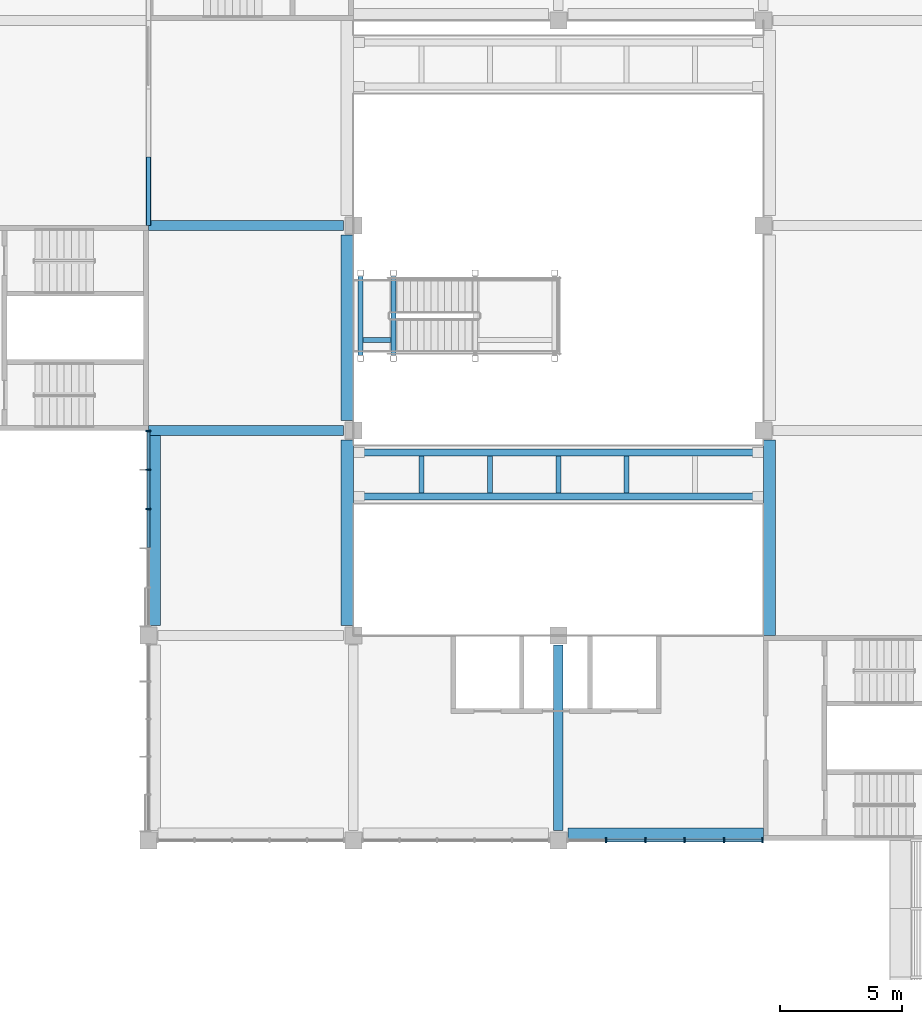
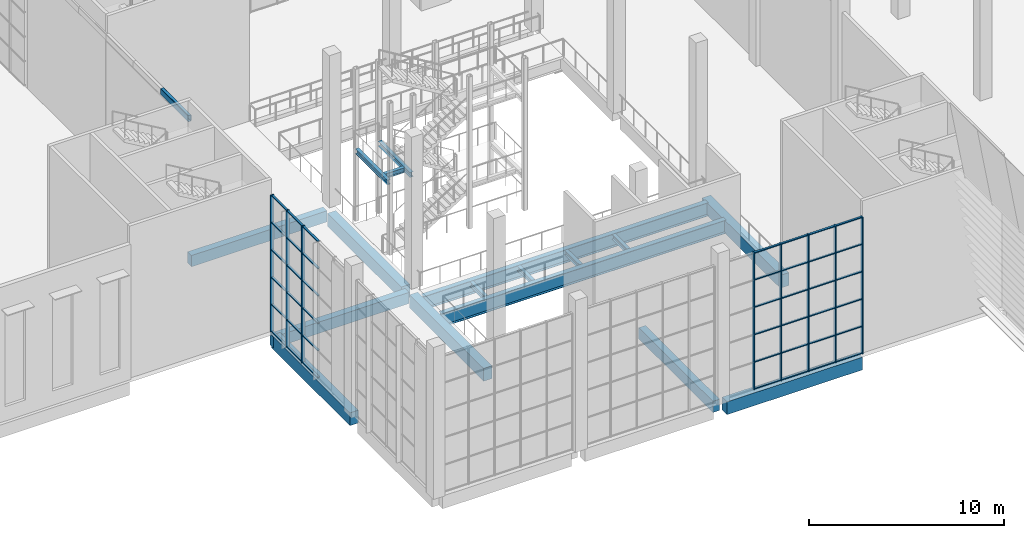
# One storey, part 21 of 114: 51 members, 17 beams, 2 elements without a shape of their own.
"""IFC4 building model written with IfcOpenShell, lengths in metres."""

from ifc_helpers import new_model, si_unit, direction, frame, origin, origin_2d, place, context, subcontext, project, spatial, rectangle, hollow_rectangle, i_section, extrude, material, material_profile, profile_set, type_object, element, aggregate, save


model = new_model("IFC4")

# Units and contexts
model_context = context("Model", 3, precision=1e-05, world=origin(), true_north=direction((0.0, 1.0)))
body_context = subcontext(model_context, "Body", "Model", "MODEL_VIEW")
ifc_project = project(units=[si_unit("LENGTHUNIT", "METRE"), si_unit("AREAUNIT", "SQUARE_METRE"), si_unit("VOLUMEUNIT", "CUBIC_METRE"), si_unit("PLANEANGLEUNIT", "RADIAN"), si_unit("MASSUNIT", "GRAM", prefix="KILO")], contexts=[model_context])

# Site, building, storey
site_placement = place(None, origin())
site = spatial("IfcSite", under=ifc_project, at=site_placement, CompositionType="ELEMENT")
building_placement = place(site_placement, origin())
building = spatial("IfcBuilding", under=site, at=building_placement, Name="Almond Square Museum", CompositionType="ELEMENT")
storey_placement = place(building_placement, frame((0.0, 0.0, 10.5)))
storey = spatial("IfcBuildingStorey", under=building, at=storey_placement, Name="L02", CompositionType="ELEMENT", Elevation=10.5)

# Curtain wall, members
ifc_material_1 = material(Name="Aluminium and laminated glass", Category="aluminium")
curtain_wall_type = type_object("IfcCurtainWallType", Name="Unitised curtain wall 1500 module", PredefinedType="NOTDEFINED", material=ifc_material_1)
curtain_wall_1_placement = place(storey_placement, origin())
curtain_wall_1 = element("IfcCurtainWall", 1, at=curtain_wall_1_placement, inside=storey, type_object=curtain_wall_type, Name="Curtain wall CW-26", PredefinedType="NOTDEFINED")
ifc_material_2 = material(Name="Anodised aluminium", Category="aluminium")
ifc_material_profile_1 = material_profile(ifc_material_2, rectangle(XDim=0.199951171875, YDim=0.06005859375, at=origin_2d()))
ifc_profile_set_1 = profile_set([ifc_material_profile_1], Name="Anodised aluminium")
member_type_1 = type_object("IfcMemberType", Name="Aluminium mullion 60 x 200", PredefinedType="MULLION", material=ifc_profile_set_1)
member_1_placement = place(storey_placement, frame((73.199951171875, 80.780029296875, 0.0), z_axis=(0.0, 0.0, 1.0), x_axis=(-1.0, 0.0, 0.0)))
member_1 = element("IfcMember", 2, at=member_1_placement, type_object=member_type_1, Name="CW-26 mullion 4", PredefinedType="MULLION", context=body_context, shape_type="SweptSolid", body=[
    extrude(rectangle(XDim=0.199951171875, YDim=0.06005859375, at=origin_2d()), origin(), (0.0, 0.0, 1.0), 8.550048828125),
])
member_2_placement = place(storey_placement, frame((73.199951171875, 82.389892578125, 0.0), z_axis=(0.0, 0.0, 1.0), x_axis=(-1.0, 0.0, 0.0)))
member_2 = element("IfcMember", 3, at=member_2_placement, type_object=member_type_1, Name="CW-26 mullion 5", PredefinedType="MULLION", context=body_context, shape_type="SweptSolid", body=[
    extrude(rectangle(XDim=0.199951171875, YDim=0.06005859375, at=origin_2d()), origin(), (0.0, 0.0, 1.0), 8.550048828125),
])
member_3_placement = place(storey_placement, frame((73.199951171875, 83.969970703125, 0.0), z_axis=(0.0, 0.0, 1.0), x_axis=(-1.0, 0.0, 0.0)))
member_3 = element("IfcMember", 4, at=member_3_placement, type_object=member_type_1, Name="CW-26 mullion 6", PredefinedType="MULLION", context=body_context, shape_type="SweptSolid", body=[
    extrude(rectangle(XDim=0.199951171875, YDim=0.06005859375, at=origin_2d()), origin(), (0.0, 0.0, 1.0), 8.550048828125),
])

curtain_wall_2_placement = place(storey_placement, origin())
curtain_wall_2 = element("IfcCurtainWall", 5, at=curtain_wall_2_placement, inside=storey, type_object=curtain_wall_type, Name="Curtain wall CW-30", PredefinedType="NOTDEFINED")
member_4_placement = place(storey_placement, frame((91.9599609375, 67.199951171875, 0.0), z_axis=(0.0, 0.0, 1.0), x_axis=(0.0, 1.0, 0.0)))
member_4 = element("IfcMember", 6, at=member_4_placement, type_object=member_type_1, Name="CW-30 mullion 2", PredefinedType="MULLION", context=body_context, shape_type="SweptSolid", body=[
    extrude(rectangle(XDim=0.199951171875, YDim=0.06005859375, at=origin_2d()), origin(), (0.0, 0.0, 1.0), 8.550048828125),
])
member_5_placement = place(storey_placement, frame((93.570068359375, 67.199951171875, 0.0), z_axis=(0.0, 0.0, 1.0), x_axis=(0.0, 1.0, 0.0)))
member_5 = element("IfcMember", 7, at=member_5_placement, type_object=member_type_1, Name="CW-30 mullion 3", PredefinedType="MULLION", context=body_context, shape_type="SweptSolid", body=[
    extrude(rectangle(XDim=0.199951171875, YDim=0.06005859375, at=origin_2d()), origin(), (0.0, 0.0, 1.0), 8.550048828125),
])
member_6_placement = place(storey_placement, frame((95.179931640625, 67.199951171875, 0.0), z_axis=(0.0, 0.0, 1.0), x_axis=(0.0, 1.0, 0.0)))
member_6 = element("IfcMember", 8, at=member_6_placement, type_object=member_type_1, Name="CW-30 mullion 4", PredefinedType="MULLION", context=body_context, shape_type="SweptSolid", body=[
    extrude(rectangle(XDim=0.199951171875, YDim=0.06005859375, at=origin_2d()), origin(), (0.0, 0.0, 1.0), 8.550048828125),
])
member_7_placement = place(storey_placement, frame((96.7900390625, 67.199951171875, 0.0), z_axis=(0.0, 0.0, 1.0), x_axis=(0.0, 1.0, 0.0)))
member_7 = element("IfcMember", 9, at=member_7_placement, type_object=member_type_1, Name="CW-30 mullion 5", PredefinedType="MULLION", context=body_context, shape_type="SweptSolid", body=[
    extrude(rectangle(XDim=0.199951171875, YDim=0.06005859375, at=origin_2d()), origin(), (0.0, 0.0, 1.0), 8.550048828125),
])
member_8_placement = place(storey_placement, frame((98.3701171875, 67.199951171875, 0.0), z_axis=(0.0, 0.0, 1.0), x_axis=(0.0, 1.0, 0.0)))
member_8 = element("IfcMember", 10, at=member_8_placement, type_object=member_type_1, Name="CW-30 mullion 6", PredefinedType="MULLION", context=body_context, shape_type="SweptSolid", body=[
    extrude(rectangle(XDim=0.199951171875, YDim=0.06005859375, at=origin_2d()), origin(), (0.0, 0.0, 1.0), 8.550048828125),
])

# Member
ifc_material_3 = material(Name="Anodised aluminium", Category="aluminium")
ifc_material_profile_2 = material_profile(ifc_material_3, rectangle(XDim=0.1201171875, YDim=0.06005859375, at=origin_2d()))
ifc_profile_set_2 = profile_set([ifc_material_profile_2], Name="Anodised aluminium")
member_type_2 = type_object("IfcMemberType", Name="Aluminium transom 60 x 120", PredefinedType="USERDEFINED", material=ifc_profile_set_2)
member_9_placement = place(storey_placement, frame((73.199951171875, 79.199951171875, 0.030029296875), z_axis=(0.0, 1.0, 0.0), x_axis=(-1.0, 0.0, 0.0)))
member_9 = element("IfcMember", 11, at=member_9_placement, type_object=member_type_2, Name="CW-26 transom 3.1", ObjectType="TRANSOM", PredefinedType="USERDEFINED", context=body_context, shape_type="SweptSolid", body=[
    extrude(rectangle(XDim=0.1201171875, YDim=0.06005859375, at=origin_2d()), origin(), (0.0, 0.0, 1.0), 1.550048828125),
])

member_10_placement = place(storey_placement, frame((73.199951171875, 79.199951171875, 1.7099609375), z_axis=(0.0, 1.0, 0.0), x_axis=(-1.0, 0.0, 0.0)))
member_10 = element("IfcMember", 12, at=member_10_placement, type_object=member_type_2, Name="CW-26 transom 3.2", ObjectType="TRANSOM", PredefinedType="USERDEFINED", context=body_context, shape_type="SweptSolid", body=[
    extrude(rectangle(XDim=0.1201171875, YDim=0.06005859375, at=origin_2d()), origin(), (0.0, 0.0, 1.0), 1.550048828125),
])

member_11_placement = place(storey_placement, frame((73.199951171875, 79.199951171875, 3.419921875), z_axis=(0.0, 1.0, 0.0), x_axis=(-1.0, 0.0, 0.0)))
member_11 = element("IfcMember", 13, at=member_11_placement, type_object=member_type_2, Name="CW-26 transom 3.3", ObjectType="TRANSOM", PredefinedType="USERDEFINED", context=body_context, shape_type="SweptSolid", body=[
    extrude(rectangle(XDim=0.1201171875, YDim=0.06005859375, at=origin_2d()), origin(), (0.0, 0.0, 1.0), 1.550048828125),
])

member_12_placement = place(storey_placement, frame((73.199951171875, 79.199951171875, 5.1298828125), z_axis=(0.0, 1.0, 0.0), x_axis=(-1.0, 0.0, 0.0)))
member_12 = element("IfcMember", 14, at=member_12_placement, type_object=member_type_2, Name="CW-26 transom 3.4", ObjectType="TRANSOM", PredefinedType="USERDEFINED", context=body_context, shape_type="SweptSolid", body=[
    extrude(rectangle(XDim=0.1201171875, YDim=0.06005859375, at=origin_2d()), origin(), (0.0, 0.0, 1.0), 1.550048828125),
])

member_13_placement = place(storey_placement, frame((73.199951171875, 79.199951171875, 6.840087890625), z_axis=(0.0, 1.0, 0.0), x_axis=(-1.0, 0.0, 0.0)))
member_13 = element("IfcMember", 15, at=member_13_placement, type_object=member_type_2, Name="CW-26 transom 3.5", ObjectType="TRANSOM", PredefinedType="USERDEFINED", context=body_context, shape_type="SweptSolid", body=[
    extrude(rectangle(XDim=0.1201171875, YDim=0.06005859375, at=origin_2d()), origin(), (0.0, 0.0, 1.0), 1.550048828125),
])

member_14_placement = place(storey_placement, frame((73.199951171875, 79.199951171875, 8.52001953125), z_axis=(0.0, 1.0, 0.0), x_axis=(-1.0, 0.0, 0.0)))
member_14 = element("IfcMember", 16, at=member_14_placement, type_object=member_type_2, Name="CW-26 transom 3.6", ObjectType="TRANSOM", PredefinedType="USERDEFINED", context=body_context, shape_type="SweptSolid", body=[
    extrude(rectangle(XDim=0.1201171875, YDim=0.06005859375, at=origin_2d()), origin(), (0.0, 0.0, 1.0), 1.550048828125),
])

member_15_placement = place(storey_placement, frame((73.199951171875, 80.81005859375, 0.030029296875), z_axis=(0.0, 1.0, 0.0), x_axis=(-1.0, 0.0, 0.0)))
member_15 = element("IfcMember", 17, at=member_15_placement, type_object=member_type_2, Name="CW-26 transom 4.1", ObjectType="TRANSOM", PredefinedType="USERDEFINED", context=body_context, shape_type="SweptSolid", body=[
    extrude(rectangle(XDim=0.1201171875, YDim=0.06005859375, at=origin_2d()), origin(), (0.0, 0.0, 1.0), 1.550048828125),
])

member_16_placement = place(storey_placement, frame((73.199951171875, 80.81005859375, 1.7099609375), z_axis=(0.0, 1.0, 0.0), x_axis=(-1.0, 0.0, 0.0)))
member_16 = element("IfcMember", 18, at=member_16_placement, type_object=member_type_2, Name="CW-26 transom 4.2", ObjectType="TRANSOM", PredefinedType="USERDEFINED", context=body_context, shape_type="SweptSolid", body=[
    extrude(rectangle(XDim=0.1201171875, YDim=0.06005859375, at=origin_2d()), origin(), (0.0, 0.0, 1.0), 1.550048828125),
])

member_17_placement = place(storey_placement, frame((73.199951171875, 80.81005859375, 3.419921875), z_axis=(0.0, 1.0, 0.0), x_axis=(-1.0, 0.0, 0.0)))
member_17 = element("IfcMember", 19, at=member_17_placement, type_object=member_type_2, Name="CW-26 transom 4.3", ObjectType="TRANSOM", PredefinedType="USERDEFINED", context=body_context, shape_type="SweptSolid", body=[
    extrude(rectangle(XDim=0.1201171875, YDim=0.06005859375, at=origin_2d()), origin(), (0.0, 0.0, 1.0), 1.550048828125),
])

member_18_placement = place(storey_placement, frame((73.199951171875, 80.81005859375, 5.1298828125), z_axis=(0.0, 1.0, 0.0), x_axis=(-1.0, 0.0, 0.0)))
member_18 = element("IfcMember", 20, at=member_18_placement, type_object=member_type_2, Name="CW-26 transom 4.4", ObjectType="TRANSOM", PredefinedType="USERDEFINED", context=body_context, shape_type="SweptSolid", body=[
    extrude(rectangle(XDim=0.1201171875, YDim=0.06005859375, at=origin_2d()), origin(), (0.0, 0.0, 1.0), 1.550048828125),
])

member_19_placement = place(storey_placement, frame((73.199951171875, 80.81005859375, 6.840087890625), z_axis=(0.0, 1.0, 0.0), x_axis=(-1.0, 0.0, 0.0)))
member_19 = element("IfcMember", 21, at=member_19_placement, type_object=member_type_2, Name="CW-26 transom 4.5", ObjectType="TRANSOM", PredefinedType="USERDEFINED", context=body_context, shape_type="SweptSolid", body=[
    extrude(rectangle(XDim=0.1201171875, YDim=0.06005859375, at=origin_2d()), origin(), (0.0, 0.0, 1.0), 1.550048828125),
])

member_20_placement = place(storey_placement, frame((73.199951171875, 80.81005859375, 8.52001953125), z_axis=(0.0, 1.0, 0.0), x_axis=(-1.0, 0.0, 0.0)))
member_20 = element("IfcMember", 22, at=member_20_placement, type_object=member_type_2, Name="CW-26 transom 4.6", ObjectType="TRANSOM", PredefinedType="USERDEFINED", context=body_context, shape_type="SweptSolid", body=[
    extrude(rectangle(XDim=0.1201171875, YDim=0.06005859375, at=origin_2d()), origin(), (0.0, 0.0, 1.0), 1.550048828125),
])

member_21_placement = place(storey_placement, frame((73.199951171875, 82.419921875, 0.030029296875), z_axis=(0.0, 1.0, 0.0), x_axis=(-1.0, 0.0, 0.0)))
member_21 = element("IfcMember", 23, at=member_21_placement, type_object=member_type_2, Name="CW-26 transom 5.1", ObjectType="TRANSOM", PredefinedType="USERDEFINED", context=body_context, shape_type="SweptSolid", body=[
    extrude(rectangle(XDim=0.1201171875, YDim=0.06005859375, at=origin_2d()), origin(), (0.0, 0.0, 1.0), 1.52001953125),
])

member_22_placement = place(storey_placement, frame((73.199951171875, 82.419921875, 1.7099609375), z_axis=(0.0, 1.0, 0.0), x_axis=(-1.0, 0.0, 0.0)))
member_22 = element("IfcMember", 24, at=member_22_placement, type_object=member_type_2, Name="CW-26 transom 5.2", ObjectType="TRANSOM", PredefinedType="USERDEFINED", context=body_context, shape_type="SweptSolid", body=[
    extrude(rectangle(XDim=0.1201171875, YDim=0.06005859375, at=origin_2d()), origin(), (0.0, 0.0, 1.0), 1.52001953125),
])

member_23_placement = place(storey_placement, frame((73.199951171875, 82.419921875, 3.419921875), z_axis=(0.0, 1.0, 0.0), x_axis=(-1.0, 0.0, 0.0)))
member_23 = element("IfcMember", 25, at=member_23_placement, type_object=member_type_2, Name="CW-26 transom 5.3", ObjectType="TRANSOM", PredefinedType="USERDEFINED", context=body_context, shape_type="SweptSolid", body=[
    extrude(rectangle(XDim=0.1201171875, YDim=0.06005859375, at=origin_2d()), origin(), (0.0, 0.0, 1.0), 1.52001953125),
])

member_24_placement = place(storey_placement, frame((73.199951171875, 82.419921875, 5.1298828125), z_axis=(0.0, 1.0, 0.0), x_axis=(-1.0, 0.0, 0.0)))
member_24 = element("IfcMember", 26, at=member_24_placement, type_object=member_type_2, Name="CW-26 transom 5.4", ObjectType="TRANSOM", PredefinedType="USERDEFINED", context=body_context, shape_type="SweptSolid", body=[
    extrude(rectangle(XDim=0.1201171875, YDim=0.06005859375, at=origin_2d()), origin(), (0.0, 0.0, 1.0), 1.52001953125),
])

member_25_placement = place(storey_placement, frame((73.199951171875, 82.419921875, 6.840087890625), z_axis=(0.0, 1.0, 0.0), x_axis=(-1.0, 0.0, 0.0)))
member_25 = element("IfcMember", 27, at=member_25_placement, type_object=member_type_2, Name="CW-26 transom 5.5", ObjectType="TRANSOM", PredefinedType="USERDEFINED", context=body_context, shape_type="SweptSolid", body=[
    extrude(rectangle(XDim=0.1201171875, YDim=0.06005859375, at=origin_2d()), origin(), (0.0, 0.0, 1.0), 1.52001953125),
])

member_26_placement = place(storey_placement, frame((73.199951171875, 82.419921875, 8.52001953125), z_axis=(0.0, 1.0, 0.0), x_axis=(-1.0, 0.0, 0.0)))
member_26 = element("IfcMember", 28, at=member_26_placement, type_object=member_type_2, Name="CW-26 transom 5.6", ObjectType="TRANSOM", PredefinedType="USERDEFINED", context=body_context, shape_type="SweptSolid", body=[
    extrude(rectangle(XDim=0.1201171875, YDim=0.06005859375, at=origin_2d()), origin(), (0.0, 0.0, 1.0), 1.52001953125),
])

aggregate(curtain_wall_1, [member_1, member_2, member_3, member_9, member_10, member_11, member_12, member_13, member_14, member_15, member_16, member_17, member_18, member_19, member_20, member_21, member_22, member_23, member_24, member_25, member_26])

member_27_placement = place(storey_placement, frame((91.989990234375, 67.199951171875, 0.030029296875), z_axis=(1.0, 0.0, 0.0), x_axis=(0.0, 1.0, 0.0)))
member_27 = element("IfcMember", 29, at=member_27_placement, type_object=member_type_2, Name="CW-30 transom 2.1", ObjectType="TRANSOM", PredefinedType="USERDEFINED", context=body_context, shape_type="SweptSolid", body=[
    extrude(rectangle(XDim=0.1201171875, YDim=0.06005859375, at=origin_2d()), origin(), (0.0, 0.0, 1.0), 1.550048828125),
])

member_28_placement = place(storey_placement, frame((91.989990234375, 67.199951171875, 1.7099609375), z_axis=(1.0, 0.0, 0.0), x_axis=(0.0, 1.0, 0.0)))
member_28 = element("IfcMember", 30, at=member_28_placement, type_object=member_type_2, Name="CW-30 transom 2.2", ObjectType="TRANSOM", PredefinedType="USERDEFINED", context=body_context, shape_type="SweptSolid", body=[
    extrude(rectangle(XDim=0.1201171875, YDim=0.06005859375, at=origin_2d()), origin(), (0.0, 0.0, 1.0), 1.550048828125),
])

member_29_placement = place(storey_placement, frame((91.989990234375, 67.199951171875, 3.419921875), z_axis=(1.0, 0.0, 0.0), x_axis=(0.0, 1.0, 0.0)))
member_29 = element("IfcMember", 31, at=member_29_placement, type_object=member_type_2, Name="CW-30 transom 2.3", ObjectType="TRANSOM", PredefinedType="USERDEFINED", context=body_context, shape_type="SweptSolid", body=[
    extrude(rectangle(XDim=0.1201171875, YDim=0.06005859375, at=origin_2d()), origin(), (0.0, 0.0, 1.0), 1.550048828125),
])

member_30_placement = place(storey_placement, frame((91.989990234375, 67.199951171875, 5.1298828125), z_axis=(1.0, 0.0, 0.0), x_axis=(0.0, 1.0, 0.0)))
member_30 = element("IfcMember", 32, at=member_30_placement, type_object=member_type_2, Name="CW-30 transom 2.4", ObjectType="TRANSOM", PredefinedType="USERDEFINED", context=body_context, shape_type="SweptSolid", body=[
    extrude(rectangle(XDim=0.1201171875, YDim=0.06005859375, at=origin_2d()), origin(), (0.0, 0.0, 1.0), 1.550048828125),
])

member_31_placement = place(storey_placement, frame((91.989990234375, 67.199951171875, 6.840087890625), z_axis=(1.0, 0.0, 0.0), x_axis=(0.0, 1.0, 0.0)))
member_31 = element("IfcMember", 33, at=member_31_placement, type_object=member_type_2, Name="CW-30 transom 2.5", ObjectType="TRANSOM", PredefinedType="USERDEFINED", context=body_context, shape_type="SweptSolid", body=[
    extrude(rectangle(XDim=0.1201171875, YDim=0.06005859375, at=origin_2d()), origin(), (0.0, 0.0, 1.0), 1.550048828125),
])

member_32_placement = place(storey_placement, frame((91.989990234375, 67.199951171875, 8.52001953125), z_axis=(1.0, 0.0, 0.0), x_axis=(0.0, 1.0, 0.0)))
member_32 = element("IfcMember", 34, at=member_32_placement, type_object=member_type_2, Name="CW-30 transom 2.6", ObjectType="TRANSOM", PredefinedType="USERDEFINED", context=body_context, shape_type="SweptSolid", body=[
    extrude(rectangle(XDim=0.1201171875, YDim=0.06005859375, at=origin_2d()), origin(), (0.0, 0.0, 1.0), 1.550048828125),
])

member_33_placement = place(storey_placement, frame((93.60009765625, 67.199951171875, 0.030029296875), z_axis=(1.0, 0.0, 0.0), x_axis=(0.0, 1.0, 0.0)))
member_33 = element("IfcMember", 35, at=member_33_placement, type_object=member_type_2, Name="CW-30 transom 3.1", ObjectType="TRANSOM", PredefinedType="USERDEFINED", context=body_context, shape_type="SweptSolid", body=[
    extrude(rectangle(XDim=0.1201171875, YDim=0.06005859375, at=origin_2d()), origin(), (0.0, 0.0, 1.0), 1.5498046875),
])

member_34_placement = place(storey_placement, frame((93.60009765625, 67.199951171875, 1.7099609375), z_axis=(1.0, 0.0, 0.0), x_axis=(0.0, 1.0, 0.0)))
member_34 = element("IfcMember", 36, at=member_34_placement, type_object=member_type_2, Name="CW-30 transom 3.2", ObjectType="TRANSOM", PredefinedType="USERDEFINED", context=body_context, shape_type="SweptSolid", body=[
    extrude(rectangle(XDim=0.1201171875, YDim=0.06005859375, at=origin_2d()), origin(), (0.0, 0.0, 1.0), 1.5498046875),
])

member_35_placement = place(storey_placement, frame((93.60009765625, 67.199951171875, 3.419921875), z_axis=(1.0, 0.0, 0.0), x_axis=(0.0, 1.0, 0.0)))
member_35 = element("IfcMember", 37, at=member_35_placement, type_object=member_type_2, Name="CW-30 transom 3.3", ObjectType="TRANSOM", PredefinedType="USERDEFINED", context=body_context, shape_type="SweptSolid", body=[
    extrude(rectangle(XDim=0.1201171875, YDim=0.06005859375, at=origin_2d()), origin(), (0.0, 0.0, 1.0), 1.5498046875),
])

member_36_placement = place(storey_placement, frame((93.60009765625, 67.199951171875, 5.1298828125), z_axis=(1.0, 0.0, 0.0), x_axis=(0.0, 1.0, 0.0)))
member_36 = element("IfcMember", 38, at=member_36_placement, type_object=member_type_2, Name="CW-30 transom 3.4", ObjectType="TRANSOM", PredefinedType="USERDEFINED", context=body_context, shape_type="SweptSolid", body=[
    extrude(rectangle(XDim=0.1201171875, YDim=0.06005859375, at=origin_2d()), origin(), (0.0, 0.0, 1.0), 1.5498046875),
])

member_37_placement = place(storey_placement, frame((93.60009765625, 67.199951171875, 6.840087890625), z_axis=(1.0, 0.0, 0.0), x_axis=(0.0, 1.0, 0.0)))
member_37 = element("IfcMember", 39, at=member_37_placement, type_object=member_type_2, Name="CW-30 transom 3.5", ObjectType="TRANSOM", PredefinedType="USERDEFINED", context=body_context, shape_type="SweptSolid", body=[
    extrude(rectangle(XDim=0.1201171875, YDim=0.06005859375, at=origin_2d()), origin(), (0.0, 0.0, 1.0), 1.5498046875),
])

member_38_placement = place(storey_placement, frame((93.60009765625, 67.199951171875, 8.52001953125), z_axis=(1.0, 0.0, 0.0), x_axis=(0.0, 1.0, 0.0)))
member_38 = element("IfcMember", 40, at=member_38_placement, type_object=member_type_2, Name="CW-30 transom 3.6", ObjectType="TRANSOM", PredefinedType="USERDEFINED", context=body_context, shape_type="SweptSolid", body=[
    extrude(rectangle(XDim=0.1201171875, YDim=0.06005859375, at=origin_2d()), origin(), (0.0, 0.0, 1.0), 1.5498046875),
])

member_39_placement = place(storey_placement, frame((95.2099609375, 67.199951171875, 0.030029296875), z_axis=(1.0, 0.0, 0.0), x_axis=(0.0, 1.0, 0.0)))
member_39 = element("IfcMember", 41, at=member_39_placement, type_object=member_type_2, Name="CW-30 transom 4.1", ObjectType="TRANSOM", PredefinedType="USERDEFINED", context=body_context, shape_type="SweptSolid", body=[
    extrude(rectangle(XDim=0.1201171875, YDim=0.06005859375, at=origin_2d()), origin(), (0.0, 0.0, 1.0), 1.550048828125),
])

member_40_placement = place(storey_placement, frame((95.2099609375, 67.199951171875, 1.7099609375), z_axis=(1.0, 0.0, 0.0), x_axis=(0.0, 1.0, 0.0)))
member_40 = element("IfcMember", 42, at=member_40_placement, type_object=member_type_2, Name="CW-30 transom 4.2", ObjectType="TRANSOM", PredefinedType="USERDEFINED", context=body_context, shape_type="SweptSolid", body=[
    extrude(rectangle(XDim=0.1201171875, YDim=0.06005859375, at=origin_2d()), origin(), (0.0, 0.0, 1.0), 1.550048828125),
])

member_41_placement = place(storey_placement, frame((95.2099609375, 67.199951171875, 3.419921875), z_axis=(1.0, 0.0, 0.0), x_axis=(0.0, 1.0, 0.0)))
member_41 = element("IfcMember", 43, at=member_41_placement, type_object=member_type_2, Name="CW-30 transom 4.3", ObjectType="TRANSOM", PredefinedType="USERDEFINED", context=body_context, shape_type="SweptSolid", body=[
    extrude(rectangle(XDim=0.1201171875, YDim=0.06005859375, at=origin_2d()), origin(), (0.0, 0.0, 1.0), 1.550048828125),
])

member_42_placement = place(storey_placement, frame((95.2099609375, 67.199951171875, 5.1298828125), z_axis=(1.0, 0.0, 0.0), x_axis=(0.0, 1.0, 0.0)))
member_42 = element("IfcMember", 44, at=member_42_placement, type_object=member_type_2, Name="CW-30 transom 4.4", ObjectType="TRANSOM", PredefinedType="USERDEFINED", context=body_context, shape_type="SweptSolid", body=[
    extrude(rectangle(XDim=0.1201171875, YDim=0.06005859375, at=origin_2d()), origin(), (0.0, 0.0, 1.0), 1.550048828125),
])

member_43_placement = place(storey_placement, frame((95.2099609375, 67.199951171875, 6.840087890625), z_axis=(1.0, 0.0, 0.0), x_axis=(0.0, 1.0, 0.0)))
member_43 = element("IfcMember", 45, at=member_43_placement, type_object=member_type_2, Name="CW-30 transom 4.5", ObjectType="TRANSOM", PredefinedType="USERDEFINED", context=body_context, shape_type="SweptSolid", body=[
    extrude(rectangle(XDim=0.1201171875, YDim=0.06005859375, at=origin_2d()), origin(), (0.0, 0.0, 1.0), 1.550048828125),
])

member_44_placement = place(storey_placement, frame((95.2099609375, 67.199951171875, 8.52001953125), z_axis=(1.0, 0.0, 0.0), x_axis=(0.0, 1.0, 0.0)))
member_44 = element("IfcMember", 46, at=member_44_placement, type_object=member_type_2, Name="CW-30 transom 4.6", ObjectType="TRANSOM", PredefinedType="USERDEFINED", context=body_context, shape_type="SweptSolid", body=[
    extrude(rectangle(XDim=0.1201171875, YDim=0.06005859375, at=origin_2d()), origin(), (0.0, 0.0, 1.0), 1.550048828125),
])

member_45_placement = place(storey_placement, frame((96.820068359375, 67.199951171875, 0.030029296875), z_axis=(1.0, 0.0, 0.0), x_axis=(0.0, 1.0, 0.0)))
member_45 = element("IfcMember", 47, at=member_45_placement, type_object=member_type_2, Name="CW-30 transom 5.1", ObjectType="TRANSOM", PredefinedType="USERDEFINED", context=body_context, shape_type="SweptSolid", body=[
    extrude(rectangle(XDim=0.1201171875, YDim=0.06005859375, at=origin_2d()), origin(), (0.0, 0.0, 1.0), 1.52001953125),
])

member_46_placement = place(storey_placement, frame((96.820068359375, 67.199951171875, 1.7099609375), z_axis=(1.0, 0.0, 0.0), x_axis=(0.0, 1.0, 0.0)))
member_46 = element("IfcMember", 48, at=member_46_placement, type_object=member_type_2, Name="CW-30 transom 5.2", ObjectType="TRANSOM", PredefinedType="USERDEFINED", context=body_context, shape_type="SweptSolid", body=[
    extrude(rectangle(XDim=0.1201171875, YDim=0.06005859375, at=origin_2d()), origin(), (0.0, 0.0, 1.0), 1.52001953125),
])

member_47_placement = place(storey_placement, frame((96.820068359375, 67.199951171875, 3.419921875), z_axis=(1.0, 0.0, 0.0), x_axis=(0.0, 1.0, 0.0)))
member_47 = element("IfcMember", 49, at=member_47_placement, type_object=member_type_2, Name="CW-30 transom 5.3", ObjectType="TRANSOM", PredefinedType="USERDEFINED", context=body_context, shape_type="SweptSolid", body=[
    extrude(rectangle(XDim=0.1201171875, YDim=0.06005859375, at=origin_2d()), origin(), (0.0, 0.0, 1.0), 1.52001953125),
])

member_48_placement = place(storey_placement, frame((96.820068359375, 67.199951171875, 5.1298828125), z_axis=(1.0, 0.0, 0.0), x_axis=(0.0, 1.0, 0.0)))
member_48 = element("IfcMember", 50, at=member_48_placement, type_object=member_type_2, Name="CW-30 transom 5.4", ObjectType="TRANSOM", PredefinedType="USERDEFINED", context=body_context, shape_type="SweptSolid", body=[
    extrude(rectangle(XDim=0.1201171875, YDim=0.06005859375, at=origin_2d()), origin(), (0.0, 0.0, 1.0), 1.52001953125),
])

member_49_placement = place(storey_placement, frame((96.820068359375, 67.199951171875, 6.840087890625), z_axis=(1.0, 0.0, 0.0), x_axis=(0.0, 1.0, 0.0)))
member_49 = element("IfcMember", 51, at=member_49_placement, type_object=member_type_2, Name="CW-30 transom 5.5", ObjectType="TRANSOM", PredefinedType="USERDEFINED", context=body_context, shape_type="SweptSolid", body=[
    extrude(rectangle(XDim=0.1201171875, YDim=0.06005859375, at=origin_2d()), origin(), (0.0, 0.0, 1.0), 1.52001953125),
])

member_50_placement = place(storey_placement, frame((96.820068359375, 67.199951171875, 8.52001953125), z_axis=(1.0, 0.0, 0.0), x_axis=(0.0, 1.0, 0.0)))
member_50 = element("IfcMember", 52, at=member_50_placement, type_object=member_type_2, Name="CW-30 transom 5.6", ObjectType="TRANSOM", PredefinedType="USERDEFINED", context=body_context, shape_type="SweptSolid", body=[
    extrude(rectangle(XDim=0.1201171875, YDim=0.06005859375, at=origin_2d()), origin(), (0.0, 0.0, 1.0), 1.52001953125),
])

aggregate(curtain_wall_2, [member_4, member_5, member_6, member_7, member_8, member_27, member_28, member_29, member_30, member_31, member_32, member_33, member_34, member_35, member_36, member_37, member_38, member_39, member_40, member_41, member_42, member_43, member_44, member_45, member_46, member_47, member_48, member_49, member_50])

# Beams
ifc_material_4 = material(Name="Structural steel S355", Category="steel")
ifc_material_profile_3 = material_profile(ifc_material_4, i_section(OverallWidth=0.202880859375, OverallDepth=0.302001953125, WebThickness=0.007568359375, FlangeThickness=0.01318359375, at=origin_2d()))
ifc_profile_set_3 = profile_set([ifc_material_profile_3], Name="Structural steel S355")
beam_type_1 = type_object("IfcBeamType", Name="Feature stair landing beam W310x60", PredefinedType="BEAM", material=ifc_profile_set_3)
for number, where, z_axis, x_axis, name in (
    (53, (81.89990234375, 87.074951171875, 4.39892578125), (0.0, 1.0, 0.0), (-1.0, 0.0, 0.0), "L02 atrium feature stair landing beam"),
    (54, (83.2451171875, 87.074951171875, 4.39892578125), (0.0, 1.0, 0.0), (-1.0, 0.0, 0.0), "L02 atrium feature stair landing beam"),
):
    element("IfcBeam", number, at=place(storey_placement, frame(where, z_axis=z_axis, x_axis=x_axis)), inside=storey, type_object=beam_type_1, Name=name, PredefinedType="BEAM", context=body_context, shape_type="SweptSolid", body=[
        extrude(i_section(OverallWidth=0.202880859375, OverallDepth=0.302001953125, WebThickness=0.007568359375, FlangeThickness=0.01318359375, at=origin_2d()), origin(), (0.0, 0.0, 1.0), 3.25),
    ])
beam_1_placement = place(storey_placement, frame((82.00146484375, 87.699951171875, 4.39892578125), z_axis=(1.0, 0.0, 0.0), x_axis=(0.0, 1.0, 0.0)))
element("IfcBeam", 55, at=beam_1_placement, inside=storey, type_object=beam_type_1, Name="L02 atrium feature stair landing trimmer", PredefinedType="BEAM", context=body_context, shape_type="SweptSolid", body=[
    extrude(i_section(OverallWidth=0.202880859375, OverallDepth=0.302001953125, WebThickness=0.007568359375, FlangeThickness=0.01318359375, at=origin_2d()), origin(), (0.0, 0.0, 1.0), 1.14208984375),
])
ifc_material_5 = material(Name="Structural steel S355", Category="steel")
ifc_material_profile_4 = material_profile(ifc_material_5, i_section(OverallWidth=0.202880859375, OverallDepth=0.302001953125, WebThickness=0.007568359375, FlangeThickness=0.01318359375, at=origin_2d()))
ifc_profile_set_4 = profile_set([ifc_material_profile_4], Name="Structural steel S355")
beam_type_2 = type_object("IfcBeamType", Name="Floor beam W310x60", PredefinedType="BEAM", material=ifc_profile_set_4)
for number, where, z_axis, x_axis, name in (
    (56, (84.39990234375, 81.446044921875, -0.301025390625), (0.0, 1.0, 0.0), (-1.0, 0.0, 0.0), "Bridge 3 cross beam 1"),
    (57, (87.199951171875, 81.446044921875, -0.301025390625), (0.0, 1.0, 0.0), (-1.0, 0.0, 0.0), "Bridge 3 cross beam 2"),
    (58, (90.0, 81.446044921875, -0.301025390625), (0.0, 1.0, 0.0), (-1.0, 0.0, 0.0), "Bridge 3 cross beam 3"),
    (59, (92.800048828125, 81.446044921875, -0.301025390625), (0.0, 1.0, 0.0), (-1.0, 0.0, 0.0), "Bridge 3 cross beam 4"),
):
    element("IfcBeam", number, at=place(storey_placement, frame(where, z_axis=z_axis, x_axis=x_axis)), inside=storey, type_object=beam_type_2, Name=name, PredefinedType="BEAM", context=body_context, shape_type="SweptSolid", body=[
        extrude(i_section(OverallWidth=0.202880859375, OverallDepth=0.302001953125, WebThickness=0.007568359375, FlangeThickness=0.01318359375, at=origin_2d()), origin(), (0.0, 0.0, 1.0), 1.508056640625),
    ])
ifc_material_6 = material(Name="Structural steel S355", Category="steel")
ifc_material_profile_5 = material_profile(ifc_material_6, i_section(OverallWidth=0.2919921875, OverallDepth=0.8359375, WebThickness=0.013916015625, FlangeThickness=0.018798828125, at=origin_2d()))
ifc_profile_set_5 = profile_set([ifc_material_profile_5], Name="Structural steel S355")
beam_type_3 = type_object("IfcBeamType", Name="Girder W840x176", PredefinedType="BEAM", material=ifc_profile_set_5)
for number, where, z_axis, x_axis, name in (
    (60, (81.60009765625, 81.300048828125, -0.568115234375), (1.0, 0.0, 0.0), (0.0, 1.0, 0.0), "Bridge 3 girder 1"),
    (61, (81.60009765625, 83.10009765625, -0.568115234375), (1.0, 0.0, 0.0), (0.0, 1.0, 0.0), "Bridge 3 girder 2"),
):
    element("IfcBeam", number, at=place(storey_placement, frame(where, z_axis=z_axis, x_axis=x_axis)), inside=storey, type_object=beam_type_3, Name=name, PredefinedType="BEAM", context=body_context, shape_type="SweptSolid", body=[
        extrude(i_section(OverallWidth=0.2919921875, OverallDepth=0.8359375, WebThickness=0.013916015625, FlangeThickness=0.018798828125, at=origin_2d()), origin(), (0.0, 0.0, 1.0), 16.7998046875),
    ])
ifc_material_7 = material(Name="Concrete C40/50", Category="concrete")
ifc_material_profile_6 = material_profile(ifc_material_7, rectangle(XDim=0.39990234375, YDim=0.699951171875, at=origin_2d()))
ifc_profile_set_6 = profile_set([ifc_material_profile_6], Name="Concrete C40/50")
beam_type_4 = type_object("IfcBeamType", Name="RC beam 400 x 700 C40/50", PredefinedType="BEAM", material=ifc_profile_set_6)
for number, where, z_axis, x_axis, name in (
    (62, (73.199951171875, 84.0, -0.60009765625), (1.0, 0.0, 0.0), (0.0, 1.0, 0.0), "Beam K 10-11 L02"),
    (63, (73.199951171875, 92.39990234375, -0.60009765625), (1.0, 0.0, 0.0), (0.0, 1.0, 0.0), "Beam L 10-11 L02"),
):
    element("IfcBeam", number, at=place(storey_placement, frame(where, z_axis=z_axis, x_axis=x_axis)), inside=storey, type_object=beam_type_4, Name=name, PredefinedType="BEAM", context=body_context, shape_type="SweptSolid", body=[
        extrude(rectangle(XDim=0.39990234375, YDim=0.699951171875, at=origin_2d()), origin(), (0.0, 0.0, 1.0), 8.0),
    ])
beam_2_placement = place(storey_placement, frame((90.0, 67.60009765625, -0.60009765625), z_axis=(0.0, 1.0, 0.0), x_axis=(-1.0, 0.0, 0.0)))
element("IfcBeam", 64, at=beam_2_placement, inside=storey, type_object=beam_type_4, Name="Beam 12 I-J L02", PredefinedType="BEAM", context=body_context, shape_type="SweptSolid", body=[
    extrude(rectangle(XDim=0.39990234375, YDim=0.699951171875, at=origin_2d()), origin(), (0.0, 0.0, 1.0), 7.599853515625),
])
ifc_material_8 = material(Name="Concrete C40/50", Category="concrete")
ifc_material_profile_7 = material_profile(ifc_material_8, rectangle(XDim=0.5, YDim=0.800048828125, at=origin_2d()))
ifc_profile_set_7 = profile_set([ifc_material_profile_7], Name="Concrete C40/50")
beam_type_5 = type_object("IfcBeamType", Name="RC edge beam 500 x 800 C40/50", PredefinedType="BEAM", material=ifc_profile_set_7)
for number, where, z_axis, x_axis, name in (
    (65, (90.39990234375, 67.449951171875, -0.64990234375), (1.0, 0.0, 0.0), (0.0, 1.0, 0.0), "Edge beam I 12-13 L02"),
    (66, (73.449951171875, 76.0, -0.64990234375), (0.0, 1.0, 0.0), (-1.0, 0.0, 0.0), "Edge beam 10 J-K L02"),
):
    element("IfcBeam", number, at=place(storey_placement, frame(where, z_axis=z_axis, x_axis=x_axis)), inside=storey, type_object=beam_type_5, Name=name, PredefinedType="BEAM", context=body_context, shape_type="SweptSolid", body=[
        extrude(rectangle(XDim=0.5, YDim=0.800048828125, at=origin_2d()), origin(), (0.0, 0.0, 1.0), 8.0),
    ])
for number, where, z_axis, x_axis, name in (
    (67, (81.35009765625, 76.0, -0.64990234375), (0.0, 1.0, 0.0), (-1.0, 0.0, 0.0), "Edge beam 11 J-K L02"),
    (68, (81.35009765625, 84.39990234375, -0.64990234375), (0.0, 1.0, 0.0), (-1.0, 0.0, 0.0), "Edge beam 11 K-L L02"),
):
    element("IfcBeam", number, at=place(storey_placement, frame(where, z_axis=z_axis, x_axis=x_axis)), inside=storey, type_object=beam_type_5, Name=name, PredefinedType="BEAM", context=body_context, shape_type="SweptSolid", body=[
        extrude(rectangle(XDim=0.5, YDim=0.800048828125, at=origin_2d()), origin(), (0.0, 0.0, 1.0), 7.60009765625),
    ])
beam_3_placement = place(storey_placement, frame((98.64990234375, 75.60009765625, -0.64990234375), z_axis=(0.0, 1.0, 0.0), x_axis=(-1.0, 0.0, 0.0)))
element("IfcBeam", 69, at=beam_3_placement, inside=storey, type_object=beam_type_5, Name="Edge beam 13 J-K L02", PredefinedType="BEAM", context=body_context, shape_type="SweptSolid", body=[
    extrude(rectangle(XDim=0.5, YDim=0.800048828125, at=origin_2d()), origin(), (0.0, 0.0, 1.0), 8.0),
])

# Member
ifc_material_9 = material(Name="Structural steel S355", Category="steel")
ifc_material_profile_8 = material_profile(ifc_material_9, hollow_rectangle(XDim=0.199951171875, YDim=0.39990234375, WallThickness=0.012451171875, InnerFilletRadius=0.02490234375, OuterFilletRadius=0.03759765625, at=origin_2d()))
ifc_profile_set_8 = profile_set([ifc_material_profile_8], Name="Structural steel S355")
member_type_3 = type_object("IfcMemberType", Name="Truss chord RHS 400x200x12.5", PredefinedType="CHORD", material=ifc_profile_set_8)
member_51_placement = place(storey_placement, frame((73.199951171875, 92.39990234375, 8.199951171875), z_axis=(0.0, 1.0, 0.0), x_axis=(-1.0, 0.0, 0.0)))
element("IfcMember", 70, at=member_51_placement, inside=storey, type_object=member_type_3, Name="TR-17 top chord 1", PredefinedType="CHORD", context=body_context, shape_type="SweptSolid", body=[
    extrude(hollow_rectangle(XDim=0.199951171875, YDim=0.39990234375, WallThickness=0.012451171875, InnerFilletRadius=0.02490234375, OuterFilletRadius=0.03759765625, at=origin_2d()), origin(), (0.0, 0.0, 1.0), 2.800048828125),
])

save(model, "model.ifc")
